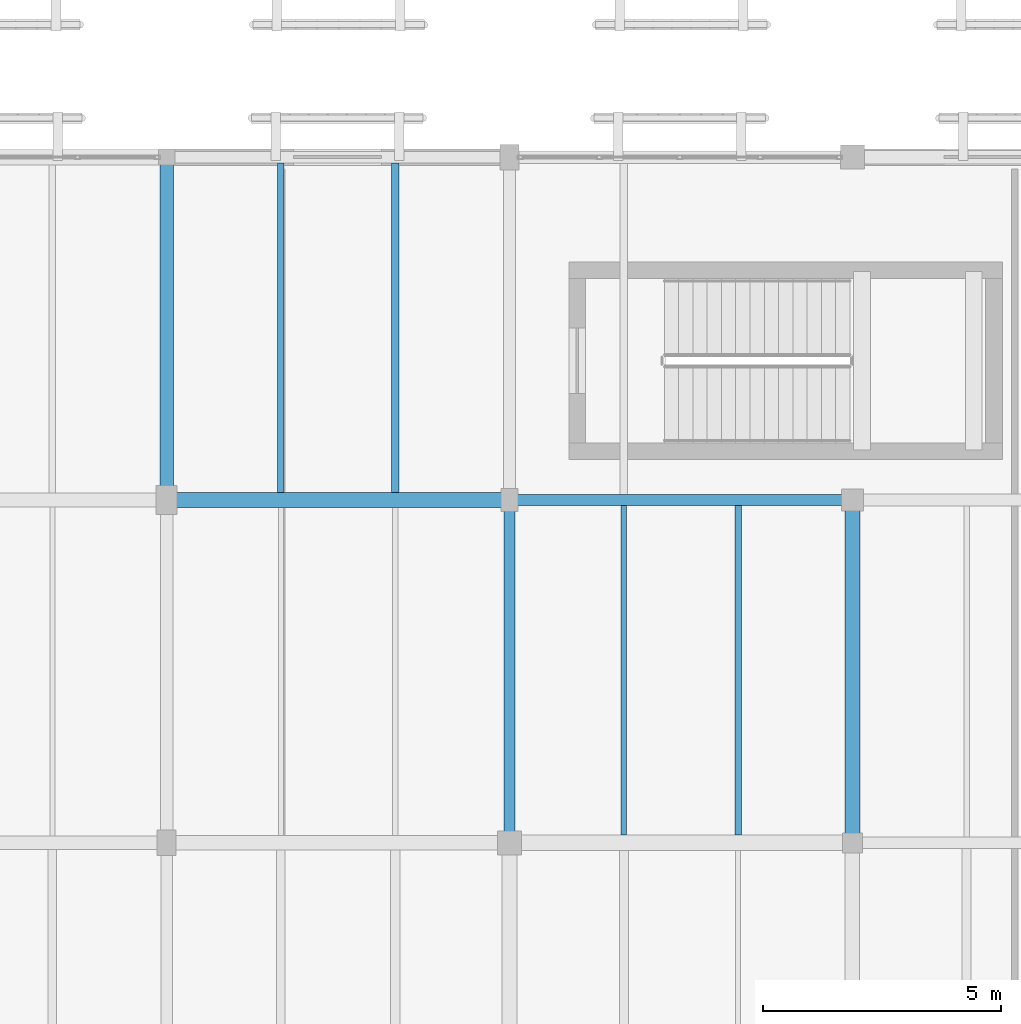
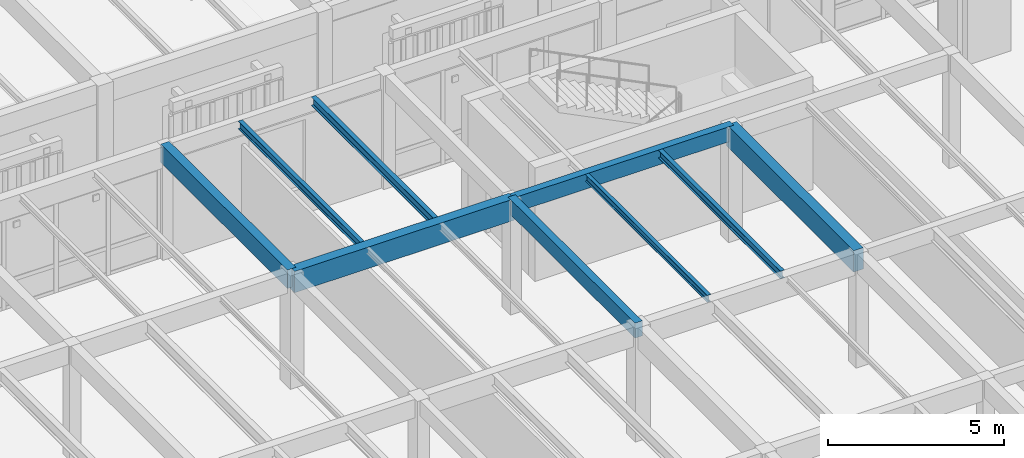
# One storey, part 138 of 217: 9 beams.
"""IFC4 building model written with IfcOpenShell, lengths in metres."""

from ifc_helpers import new_model, si_unit, direction, frame, origin, origin_2d, place, context, subcontext, project, spatial, rectangle, i_section, extrude, material, material_profile, profile_set, type_object, element, save


model = new_model("IFC4")

# Units and contexts
model_context = context("Model", 3, precision=1e-05, world=origin(), true_north=direction((0.0, 1.0)))
body_context = subcontext(model_context, "Body", "Model", "MODEL_VIEW")
ifc_project = project(units=[si_unit("LENGTHUNIT", "METRE"), si_unit("AREAUNIT", "SQUARE_METRE"), si_unit("VOLUMEUNIT", "CUBIC_METRE"), si_unit("PLANEANGLEUNIT", "RADIAN"), si_unit("MASSUNIT", "GRAM", prefix="KILO")], contexts=[model_context])

# Site, building, storey
site_placement = place(None, origin())
site = spatial("IfcSite", under=ifc_project, at=site_placement, CompositionType="ELEMENT")
building_placement = place(site_placement, origin())
building = spatial("IfcBuilding", under=site, at=building_placement, Name="Mazaris Harbour Polytechnic", CompositionType="ELEMENT")
storey_placement = place(building_placement, frame((0.0, 0.0, 9.60009765625)))
storey = spatial("IfcBuildingStorey", under=building, at=storey_placement, Name="L02", CompositionType="ELEMENT", Elevation=9.60009765625)

# Beams
ifc_material_1 = material(Name="Glulam GL32h", Category="wood")
ifc_material_profile_1 = material_profile(ifc_material_1, rectangle(XDim=0.239990234375, YDim=0.52001953125, at=origin_2d()), Name="RECT240x520")
ifc_profile_set_1 = profile_set([ifc_material_profile_1], Name="Glulam GL32h")
beam_type_1 = type_object("IfcBeamType", Name="Glulam Girder 240x520", PredefinedType="BEAM", material=ifc_profile_set_1)
for number, where, z_axis, x_axis, name in (
    (1, (151.199951171875, 36.0, 3.659912109375), (1.0, 0.0, 0.0), (0.0, 1.0, 0.0), "V2 L02 Girder 665"),
    (2, (151.199951171875, 28.800048828125, 3.659912109375), (0.0, 1.0, 0.0), (-1.0, 0.0, 0.0), "V2 L02 Tie Girder 690"),
):
    element("IfcBeam", number, at=place(storey_placement, frame(where, z_axis=z_axis, x_axis=x_axis)), inside=storey, type_object=beam_type_1, Name=name, PredefinedType="BEAM", context=body_context, shape_type="SweptSolid", body=[
        extrude(rectangle(XDim=0.239990234375, YDim=0.52001953125, at=origin_2d()), origin(), (0.0, 0.0, 1.0), 7.199951171875),
    ])
ifc_material_2 = material(Name="Glulam GL32h", Category="wood")
ifc_material_profile_2 = material_profile(ifc_material_2, rectangle(XDim=0.280029296875, YDim=0.639892578125, at=origin_2d()), Name="RECT280x640")
ifc_profile_set_2 = profile_set([ifc_material_profile_2], Name="Glulam GL32h")
beam_type_2 = type_object("IfcBeamType", Name="Glulam Girder 280x640", PredefinedType="BEAM", material=ifc_profile_set_2)
beam_1_placement = place(storey_placement, frame((144.0, 36.0, 3.599853515625), z_axis=(0.0, 1.0, 0.0), x_axis=(-1.0, 0.0, 0.0)))
element("IfcBeam", 3, at=beam_1_placement, inside=storey, type_object=beam_type_2, Name="V2 L02 Tie Girder 687", PredefinedType="BEAM", context=body_context, shape_type="SweptSolid", body=[
    extrude(rectangle(XDim=0.280029296875, YDim=0.639892578125, at=origin_2d()), origin(), (0.0, 0.0, 1.0), 7.199951171875),
])
ifc_material_3 = material(Name="Glulam GL32h", Category="wood")
ifc_material_profile_3 = material_profile(ifc_material_3, rectangle(XDim=0.320068359375, YDim=0.739990234375, at=origin_2d()), Name="RECT320x740")
ifc_profile_set_3 = profile_set([ifc_material_profile_3], Name="Glulam GL32h")
beam_type_3 = type_object("IfcBeamType", Name="Glulam Girder 320x740", PredefinedType="BEAM", material=ifc_profile_set_3)
for number, where, z_axis, x_axis, name in (
    (4, (144.0, 36.0, 3.5498046875), (1.0, 0.0, 0.0), (0.0, 1.0, 0.0), "V2 L02 Girder 664"),
    (5, (158.39990234375, 28.800048828125, 3.5498046875), (0.0, 1.0, 0.0), (-1.0, 0.0, 0.0), "V2 L02 Tie Girder 694"),
):
    element("IfcBeam", number, at=place(storey_placement, frame(where, z_axis=z_axis, x_axis=x_axis)), inside=storey, type_object=beam_type_3, Name=name, PredefinedType="BEAM", context=body_context, shape_type="SweptSolid", body=[
        extrude(rectangle(XDim=0.320068359375, YDim=0.739990234375, at=origin_2d()), origin(), (0.0, 0.0, 1.0), 7.199951171875),
    ])
ifc_material_4 = material(Name="Steel S355", Category="steel")
ifc_material_profile_4 = material_profile(ifc_material_4, i_section(OverallWidth=0.1201171875, OverallDepth=0.239990234375, WebThickness=0.006103515625, FlangeThickness=0.009765625, FilletRadius=0.014892578125, at=origin_2d()), Name="IPE 240")
ifc_profile_set_4 = profile_set([ifc_material_profile_4], Name="Steel S355")
beam_type_4 = type_object("IfcBeamType", Name="Steel Joist IPE240", PredefinedType="JOIST", material=ifc_profile_set_4)
beam_2_placement = place(storey_placement, frame((153.60009765625, 28.9599609375, 3.7998046875), z_axis=(0.0, 1.0, 0.0), x_axis=(-1.0, 0.0, 0.0)))
element("IfcBeam", 6, at=beam_2_placement, inside=storey, type_object=beam_type_4, Name="V2 L02 Floor Joist 729", PredefinedType="JOIST", context=body_context, shape_type="SweptSolid", body=[
    extrude(i_section(OverallWidth=0.1201171875, OverallDepth=0.239990234375, WebThickness=0.006103515625, FlangeThickness=0.009765625, FilletRadius=0.014892578125, at=origin_2d()), origin(), (0.0, 0.0, 1.0), 6.919921875),
])
ifc_material_5 = material(Name="Steel S355", Category="steel")
ifc_material_profile_5 = material_profile(ifc_material_5, i_section(OverallWidth=0.135009765625, OverallDepth=0.27001953125, WebThickness=0.006591796875, FlangeThickness=0.01025390625, FilletRadius=0.014892578125, at=origin_2d()), Name="IPE 270")
ifc_profile_set_5 = profile_set([ifc_material_profile_5], Name="Steel S355")
beam_type_5 = type_object("IfcBeamType", Name="Steel Joist IPE270", PredefinedType="JOIST", material=ifc_profile_set_5)
beam_3_placement = place(storey_placement, frame((146.39990234375, 36.159912109375, 3.784912109375), z_axis=(0.0, 1.0, 0.0), x_axis=(-1.0, 0.0, 0.0)))
element("IfcBeam", 7, at=beam_3_placement, inside=storey, type_object=beam_type_5, Name="V2 L02 Floor Joist 723", PredefinedType="JOIST", context=body_context, shape_type="SweptSolid", body=[
    extrude(i_section(OverallWidth=0.135009765625, OverallDepth=0.27001953125, WebThickness=0.006591796875, FlangeThickness=0.01025390625, FilletRadius=0.014892578125, at=origin_2d()), origin(), (0.0, 0.0, 1.0), 6.920166015625),
])
beam_4_placement = place(storey_placement, frame((156.0, 28.9599609375, 3.784912109375), z_axis=(0.0, 1.0, 0.0), x_axis=(-1.0, 0.0, 0.0)))
element("IfcBeam", 8, at=beam_4_placement, inside=storey, type_object=beam_type_5, Name="V2 L02 Floor Joist 730", PredefinedType="JOIST", context=body_context, shape_type="SweptSolid", body=[
    extrude(i_section(OverallWidth=0.135009765625, OverallDepth=0.27001953125, WebThickness=0.006591796875, FlangeThickness=0.01025390625, FilletRadius=0.014892578125, at=origin_2d()), origin(), (0.0, 0.0, 1.0), 6.919921875),
])
ifc_material_6 = material(Name="Steel S355", Category="steel")
ifc_material_profile_6 = material_profile(ifc_material_6, i_section(OverallWidth=0.14990234375, OverallDepth=0.300048828125, WebThickness=0.007080078125, FlangeThickness=0.0107421875, FilletRadius=0.014892578125, at=origin_2d()), Name="IPE 300")
ifc_profile_set_6 = profile_set([ifc_material_profile_6], Name="Steel S355")
beam_type_6 = type_object("IfcBeamType", Name="Steel Joist IPE300", PredefinedType="JOIST", material=ifc_profile_set_6)
beam_5_placement = place(storey_placement, frame((148.800048828125, 36.159912109375, 3.77001953125), z_axis=(0.0, 1.0, 0.0), x_axis=(-1.0, 0.0, 0.0)))
element("IfcBeam", 9, at=beam_5_placement, inside=storey, type_object=beam_type_6, Name="V2 L02 Floor Joist 724", PredefinedType="JOIST", context=body_context, shape_type="SweptSolid", body=[
    extrude(i_section(OverallWidth=0.14990234375, OverallDepth=0.300048828125, WebThickness=0.007080078125, FlangeThickness=0.0107421875, FilletRadius=0.014892578125, at=origin_2d()), origin(), (0.0, 0.0, 1.0), 6.920166015625),
])

save(model, "model.ifc")
